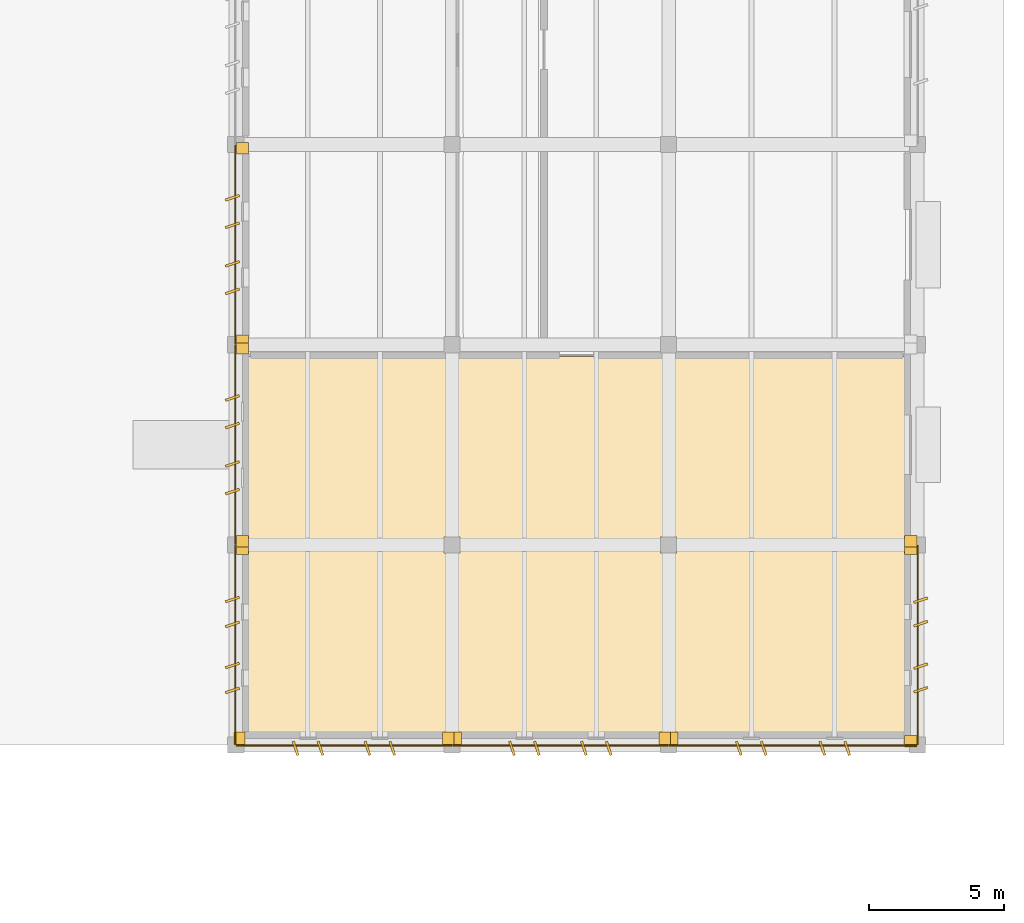
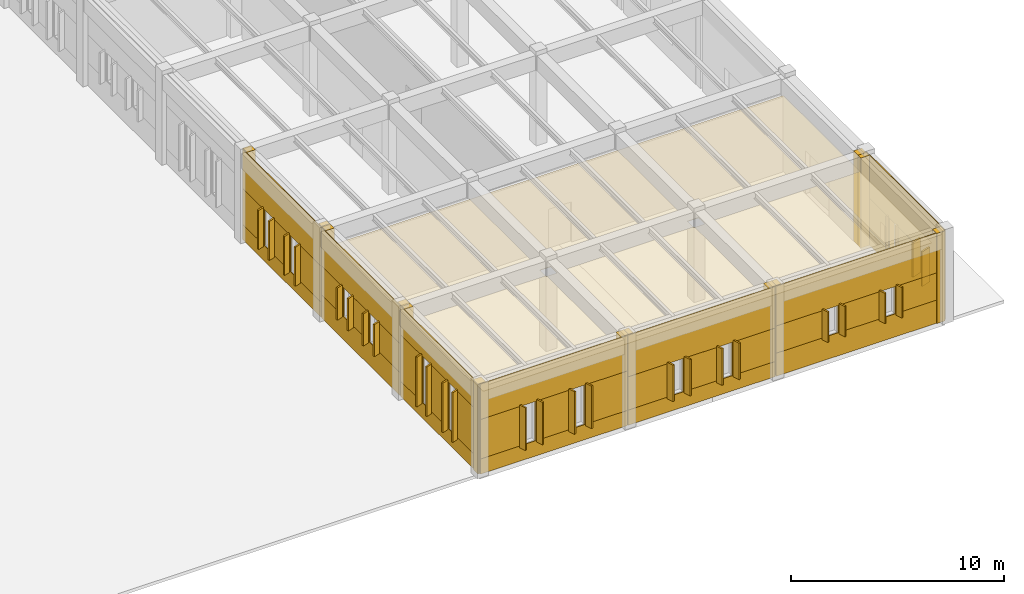
# One storey, part 52 of 56: 77 coverings.
"""IFC4 building model written with IfcOpenShell, lengths in metres."""

from ifc_helpers import new_model, si_unit, direction, frame, frame_2d, origin, origin_2d, place, context, subcontext, project, spatial, polyline, rectangle, outline, extrude, material, layer, layer_set, type_object, element, save


model = new_model("IFC4")

# Units and contexts
model_context = context("Model", 3, precision=1e-05, world=origin(), true_north=direction((0.0, 1.0)))
body_context = subcontext(model_context, "Body", "Model", "MODEL_VIEW")
ifc_project = project(units=[si_unit("LENGTHUNIT", "METRE"), si_unit("AREAUNIT", "SQUARE_METRE"), si_unit("VOLUMEUNIT", "CUBIC_METRE"), si_unit("PLANEANGLEUNIT", "RADIAN"), si_unit("MASSUNIT", "GRAM", prefix="KILO")], contexts=[model_context])

# Site, building, storey
site_placement = place(None, origin())
site = spatial("IfcSite", under=ifc_project, at=site_placement, CompositionType="ELEMENT")
building_placement = place(site_placement, origin())
building = spatial("IfcBuilding", under=site, at=building_placement, Name="Valkorina Park Police Headquarters", CompositionType="ELEMENT")
storey_placement = place(building_placement, origin())
storey = spatial("IfcBuildingStorey", under=building, at=storey_placement, Name="L01", CompositionType="ELEMENT", Elevation=0.0)

# Coverings
ifc_material_1 = material(Name="Acoustic mineral board")
ifc_layer_1 = layer(ifc_material_1, 0.02490234375)
ifc_layer_set_1 = layer_set([ifc_layer_1], Name="Acoustic mineral board")
covering_type_1 = type_object("IfcCoveringType", Name="COV-CEILING-ACOUST", PredefinedType="CEILING", material=ifc_layer_set_1)
covering_1_placement = place(storey_placement, frame((0.0, 0.0, 4.280029296875)))
element("IfcCovering", 1, at=covering_1_placement, inside=storey, type_object=covering_type_1, Name="Ballistics Water Recovery Tank Laboratory Acoustic Suspended Ceiling", PredefinedType="CEILING", context=body_context, shape_type="SweptSolid", body=[
    extrude(outline(polyline([(161.55859375, 7.904296875), (161.5595703125, 7.912109375), (161.56005859375, 7.919921875), (161.56005859375, 21.679931640625), (161.5595703125, 21.687744140625), (161.55859375, 21.695556640625), (161.556640625, 21.703125), (161.553955078125, 21.710693359375), (161.550537109375, 21.7177734375), (161.54638671875, 21.724365234375), (161.541748046875, 21.730712890625), (161.53662109375, 21.736572265625), (161.53076171875, 21.74169921875), (161.5244140625, 21.74658203125), (161.517578125, 21.75048828125), (161.510498046875, 21.75390625), (161.503173828125, 21.756591796875), (161.49560546875, 21.758544921875), (161.48779296875, 21.759521484375), (161.47998046875, 21.760009765625), (137.320068359375, 21.760009765625), (137.312255859375, 21.759521484375), (137.304443359375, 21.758544921875), (137.296875, 21.756591796875), (137.289306640625, 21.75390625), (137.2822265625, 21.75048828125), (137.275634765625, 21.74658203125), (137.269287109375, 21.74169921875), (137.263427734375, 21.736572265625), (137.25830078125, 21.730712890625), (137.25341796875, 21.724365234375), (137.24951171875, 21.7177734375), (137.24609375, 21.710693359375), (137.243408203125, 21.703125), (137.241455078125, 21.695556640625), (137.240478515625, 21.687744140625), (137.239990234375, 21.679931640625), (137.239990234375, 7.919921875), (137.240478515625, 7.912109375), (137.241455078125, 7.904296875), (137.243408203125, 7.896728515625), (137.24609375, 7.889404296875), (137.24951171875, 7.88232421875), (137.25341796875, 7.87548828125), (137.25830078125, 7.869140625), (137.263427734375, 7.86328125), (137.269287109375, 7.858154296875), (137.275634765625, 7.853515625), (137.2822265625, 7.849365234375), (137.289306640625, 7.84619140625), (137.296875, 7.843505859375), (137.304443359375, 7.841552734375), (137.312255859375, 7.84033203125), (137.320068359375, 7.840087890625), (161.47998046875, 7.840087890625), (161.48779296875, 7.84033203125), (161.49560546875, 7.841552734375), (161.503173828125, 7.843505859375), (161.510498046875, 7.84619140625), (161.517578125, 7.849365234375), (161.5244140625, 7.853515625), (161.53076171875, 7.858154296875), (161.53662109375, 7.86328125), (161.541748046875, 7.869140625), (161.54638671875, 7.87548828125), (161.550537109375, 7.88232421875), (161.553955078125, 7.889404296875), (161.556640625, 7.896728515625), (161.55859375, 7.904296875)]), holes=[polyline([(153.10009765625, 14.5), (152.5, 14.5), (152.5, 15.10009765625), (153.10009765625, 15.10009765625), (153.10009765625, 14.5)]), polyline([(145.10009765625, 14.5), (144.5, 14.5), (144.5, 15.10009765625), (145.10009765625, 15.10009765625), (145.10009765625, 14.5)])]), origin(), (0.0, 0.0, 1.0), 0.02490234375),
])
ifc_material_2 = material(Name="Precast concrete C40/50", Category="concrete")
ifc_layer_2 = layer(ifc_material_2, 0.044921875)
ifc_layer_set_2 = layer_set([ifc_layer_2], Name="Precast concrete C40/50")
covering_type_2 = type_object("IfcCoveringType", Name="COV-CLAD-DOLOMITE", PredefinedType="CLADDING", material=ifc_layer_set_2)
for number, where, z_axis, x_axis, name in (
    (2, (161.75, 14.93994140625, 0.0), (0.0, 0.0, 1.0), (0.0, 1.0, 0.0), "L01 Exterior Joint Closure Pilaster B 0552"),
    (3, (161.75, 14.659912109375, 0.0), (0.0, 0.0, 1.0), (0.0, 1.0, 0.0), "L01 Exterior Joint Closure Pilaster A 0553"),
    (4, (161.75, 7.5400390625, 0.0), (0.0, 0.0, 1.0), (0.0, 1.0, 0.0), "L01 Exterior Joint Closure Pilaster B 0554"),
):
    element("IfcCovering", number, at=place(storey_placement, frame(where, z_axis=z_axis, x_axis=x_axis)), inside=storey, type_object=covering_type_2, Name=name, PredefinedType="CLADDING", context=body_context, shape_type="SweptSolid", body=[
        extrude(rectangle(XDim=0.419921875, YDim=0.449951171875, at=origin_2d()), origin(), (0.0, 0.0, 1.0), 5.155029296875),
    ])
for number, where, z_axis, x_axis, name in (
    (5, (162.1201171875, 12.75537109375, 0.77978515625), (0.0, 0.0, 1.0), (0.948323655206, 0.317304656405, 0.0), "Slanted 18.5-deg Precast Window Slot Fin 0555"),
    (6, (162.1201171875, 11.885498046875, 0.77978515625), (0.0, 0.0, 1.0), (0.948323655206, 0.317304656405, 0.0), "Slanted 18.5-deg Precast Window Slot Fin 0556"),
    (7, (162.1201171875, 10.314697265625, 0.77978515625), (0.0, 0.0, 1.0), (0.948323655206, 0.317304656405, 0.0), "Slanted 18.5-deg Precast Window Slot Fin 0557"),
    (8, (162.1201171875, 9.444580078125, 0.77978515625), (0.0, 0.0, 1.0), (0.948323655206, 0.317304656405, 0.0), "Slanted 18.5-deg Precast Window Slot Fin 0558"),
):
    element("IfcCovering", number, at=place(storey_placement, frame(where, z_axis=z_axis, x_axis=x_axis)), inside=storey, type_object=covering_type_2, Name=name, PredefinedType="CLADDING", context=body_context, shape_type="SweptSolid", body=[
        extrude(rectangle(XDim=0.5400390625, YDim=0.090087890625, at=origin_2d()), origin(), (0.0, 0.0, 1.0), 1.989990234375),
    ])
covering_2_placement = place(storey_placement, frame((162.014892578125, 14.780029296875, 0.0), z_axis=(0.0, 0.0, 1.0), x_axis=(0.0, -1.0, 0.0)))
element("IfcCovering", 9, at=covering_2_placement, inside=storey, type_object=covering_type_2, Name="L01 Calm Concrete Base Sill Spandrel 0559", PredefinedType="CLADDING", context=body_context, shape_type="SweptSolid", body=[
    extrude(rectangle(XDim=7.360107421875, YDim=0.044921875, at=frame_2d((3.68017578125, 0.0))), origin(), (0.0, 0.0, 1.0), 0.8701171875),
])
covering_3_placement = place(storey_placement, frame((162.014892578125, 14.780029296875, 2.679931640625), z_axis=(0.0, 0.0, 1.0), x_axis=(0.0, -1.0, 0.0)))
element("IfcCovering", 10, at=covering_3_placement, inside=storey, type_object=covering_type_2, Name="L01 Calm Concrete Base Lintel Spandrel 0560", PredefinedType="CLADDING", context=body_context, shape_type="SweptSolid", body=[
    extrude(rectangle(XDim=7.360107421875, YDim=0.044921875, at=frame_2d((3.68017578125, 0.0))), origin(), (0.0, 0.0, 1.0), 2.47509765625),
])
covering_4_placement = place(storey_placement, frame((162.014892578125, 14.780029296875, 0.8701171875), z_axis=(0.0, 0.0, 1.0), x_axis=(0.0, -1.0, 0.0)))
element("IfcCovering", 11, at=covering_4_placement, inside=storey, type_object=covering_type_2, Name="L01 Calm Concrete Base Slot Pier 0561", PredefinedType="CLADDING", context=body_context, shape_type="SweptSolid", body=[
    extrude(rectangle(XDim=2.134521484375, YDim=0.044921875, at=frame_2d((1.0673828125, 0.0))), origin(), (0.0, 0.0, 1.0), 1.809814453125),
])
covering_5_placement = place(storey_placement, frame((162.014892578125, 11.995361328125, 0.8701171875), z_axis=(0.0, 0.0, 1.0), x_axis=(0.0, -1.0, 0.0)))
element("IfcCovering", 12, at=covering_5_placement, inside=storey, type_object=covering_type_2, Name="L01 Calm Concrete Base Slot Pier 0562", PredefinedType="CLADDING", context=body_context, shape_type="SweptSolid", body=[
    extrude(rectangle(XDim=1.790771484375, YDim=0.044921875, at=frame_2d((0.8955078125, 0.0))), origin(), (0.0, 0.0, 1.0), 1.809814453125),
])
covering_6_placement = place(storey_placement, frame((162.014892578125, 9.5546875, 0.8701171875), z_axis=(0.0, 0.0, 1.0), x_axis=(0.0, -1.0, 0.0)))
element("IfcCovering", 13, at=covering_6_placement, inside=storey, type_object=covering_type_2, Name="L01 Calm Concrete Base Slot Pier 0563", PredefinedType="CLADDING", context=body_context, shape_type="SweptSolid", body=[
    extrude(rectangle(XDim=2.134765625, YDim=0.044921875, at=frame_2d((1.0673828125, 0.0))), origin(), (0.0, 0.0, 1.0), 1.809814453125),
])
covering_7_placement = place(storey_placement, frame((152.93994140625, 7.64990234375, 0.0), z_axis=(0.0, 0.0, 1.0), x_axis=(1.0, 0.0, 0.0)))
element("IfcCovering", 14, at=covering_7_placement, inside=storey, type_object=covering_type_2, Name="L01 Exterior Joint Closure Pilaster B 0564", PredefinedType="CLADDING", context=body_context, shape_type="SweptSolid", body=[
    extrude(rectangle(XDim=0.419921875, YDim=0.449951171875, at=origin_2d()), origin(), (0.0, 0.0, 1.0), 5.155029296875),
])
for number, where, z_axis, x_axis, name in (
    (15, (159.404296875, 7.280029296875, 1.22998046875), (0.0, 0.0, 1.0), (0.317304656405, -0.948323655206, 0.0), "Slanted 18.5-deg Precast Window Slot Fin 0565"),
    (16, (158.484375, 7.280029296875, 1.22998046875), (0.0, 0.0, 1.0), (0.317304656405, -0.948323655206, 0.0), "Slanted 18.5-deg Precast Window Slot Fin 0566"),
    (17, (156.315673828125, 7.280029296875, 1.22998046875), (0.0, 0.0, 1.0), (0.317304656405, -0.948323655206, 0.0), "Slanted 18.5-deg Precast Window Slot Fin 0567"),
    (18, (155.3955078125, 7.280029296875, 1.22998046875), (0.0, 0.0, 1.0), (0.317304656405, -0.948323655206, 0.0), "Slanted 18.5-deg Precast Window Slot Fin 0568"),
):
    element("IfcCovering", number, at=place(storey_placement, frame(where, z_axis=z_axis, x_axis=x_axis)), inside=storey, type_object=covering_type_2, Name=name, PredefinedType="CLADDING", context=body_context, shape_type="SweptSolid", body=[
        extrude(rectangle(XDim=0.5400390625, YDim=0.090087890625, at=origin_2d()), origin(), (0.0, 0.0, 1.0), 1.739990234375),
    ])
covering_8_placement = place(storey_placement, frame((161.97998046875, 7.385009765625, 0.0), z_axis=(0.0, 0.0, 1.0), x_axis=(-1.0, 0.0, 0.0)))
element("IfcCovering", 19, at=covering_8_placement, inside=storey, type_object=covering_type_2, Name="L01 Calm Concrete Base Sill Spandrel 0569", PredefinedType="CLADDING", context=body_context, shape_type="SweptSolid", body=[
    extrude(rectangle(XDim=9.159912109375, YDim=0.044921875, at=frame_2d((4.580078125, 0.0))), origin(), (0.0, 0.0, 1.0), 1.320068359375),
])
covering_9_placement = place(storey_placement, frame((161.97998046875, 7.385009765625, 2.8798828125), z_axis=(0.0, 0.0, 1.0), x_axis=(-1.0, 0.0, 0.0)))
element("IfcCovering", 20, at=covering_9_placement, inside=storey, type_object=covering_type_2, Name="L01 Calm Concrete Base Lintel Spandrel 0570", PredefinedType="CLADDING", context=body_context, shape_type="SweptSolid", body=[
    extrude(rectangle(XDim=9.159912109375, YDim=0.044921875, at=frame_2d((4.580078125, 0.0))), origin(), (0.0, 0.0, 1.0), 2.275146484375),
])
covering_10_placement = place(storey_placement, frame((161.97998046875, 7.385009765625, 1.320068359375), z_axis=(0.0, 0.0, 1.0), x_axis=(-1.0, 0.0, 0.0)))
element("IfcCovering", 21, at=covering_10_placement, inside=storey, type_object=covering_type_2, Name="L01 Calm Concrete Base Slot Pier 0571", PredefinedType="CLADDING", context=body_context, shape_type="SweptSolid", body=[
    extrude(rectangle(XDim=2.685546875, YDim=0.044921875, at=frame_2d((1.3427734375, 0.0))), origin(), (0.0, 0.0, 1.0), 1.559814453125),
])
covering_11_placement = place(storey_placement, frame((158.594482421875, 7.385009765625, 1.320068359375), z_axis=(0.0, 0.0, 1.0), x_axis=(-1.0, 0.0, 0.0)))
element("IfcCovering", 22, at=covering_11_placement, inside=storey, type_object=covering_type_2, Name="L01 Calm Concrete Base Slot Pier 0572", PredefinedType="CLADDING", context=body_context, shape_type="SweptSolid", body=[
    extrude(rectangle(XDim=2.388916015625, YDim=0.044921875, at=frame_2d((1.1943359375, 0.0))), origin(), (0.0, 0.0, 1.0), 1.559814453125),
])
covering_12_placement = place(storey_placement, frame((155.505615234375, 7.385009765625, 1.320068359375), z_axis=(0.0, 0.0, 1.0), x_axis=(-1.0, 0.0, 0.0)))
element("IfcCovering", 23, at=covering_12_placement, inside=storey, type_object=covering_type_2, Name="L01 Calm Concrete Base Slot Pier 0573", PredefinedType="CLADDING", context=body_context, shape_type="SweptSolid", body=[
    extrude(rectangle(XDim=2.685546875, YDim=0.044921875, at=frame_2d((1.3427734375, 0.0))), origin(), (0.0, 0.0, 1.0), 1.559814453125),
])
for number, where, z_axis, x_axis, name in (
    (24, (152.659912109375, 7.64990234375, 0.0), (0.0, 0.0, 1.0), (1.0, 0.0, 0.0), "L01 Exterior Joint Closure Pilaster A 0574"),
    (25, (144.93994140625, 7.64990234375, 0.0), (0.0, 0.0, 1.0), (1.0, 0.0, 0.0), "L01 Exterior Joint Closure Pilaster B 0575"),
):
    element("IfcCovering", number, at=place(storey_placement, frame(where, z_axis=z_axis, x_axis=x_axis)), inside=storey, type_object=covering_type_2, Name=name, PredefinedType="CLADDING", context=body_context, shape_type="SweptSolid", body=[
        extrude(rectangle(XDim=0.419921875, YDim=0.449951171875, at=origin_2d()), origin(), (0.0, 0.0, 1.0), 5.155029296875),
    ])
for number, where, z_axis, x_axis, name in (
    (26, (150.58837890625, 7.280029296875, 0.77978515625), (0.0, 0.0, 1.0), (0.317304656405, -0.948323655206, 0.0), "Slanted 18.5-deg Precast Window Slot Fin 0576"),
    (27, (149.66845703125, 7.280029296875, 0.77978515625), (0.0, 0.0, 1.0), (0.317304656405, -0.948323655206, 0.0), "Slanted 18.5-deg Precast Window Slot Fin 0577"),
    (28, (147.931640625, 7.280029296875, 0.77978515625), (0.0, 0.0, 1.0), (0.317304656405, -0.948323655206, 0.0), "Slanted 18.5-deg Precast Window Slot Fin 0578"),
    (29, (147.01171875, 7.280029296875, 0.77978515625), (0.0, 0.0, 1.0), (0.317304656405, -0.948323655206, 0.0), "Slanted 18.5-deg Precast Window Slot Fin 0579"),
):
    element("IfcCovering", number, at=place(storey_placement, frame(where, z_axis=z_axis, x_axis=x_axis)), inside=storey, type_object=covering_type_2, Name=name, PredefinedType="CLADDING", context=body_context, shape_type="SweptSolid", body=[
        extrude(rectangle(XDim=0.5400390625, YDim=0.090087890625, at=origin_2d()), origin(), (0.0, 0.0, 1.0), 2.090087890625),
    ])
covering_13_placement = place(storey_placement, frame((152.780029296875, 7.385009765625, 0.0), z_axis=(0.0, 0.0, 1.0), x_axis=(-1.0, 0.0, 0.0)))
element("IfcCovering", 30, at=covering_13_placement, inside=storey, type_object=covering_type_2, Name="L01 Calm Concrete Base Sill Spandrel 0580", PredefinedType="CLADDING", context=body_context, shape_type="SweptSolid", body=[
    extrude(rectangle(XDim=7.9599609375, YDim=0.044921875, at=frame_2d((3.97998046875, 0.0))), origin(), (0.0, 0.0, 1.0), 0.8701171875),
])
covering_14_placement = place(storey_placement, frame((152.780029296875, 7.385009765625, 2.780029296875), z_axis=(0.0, 0.0, 1.0), x_axis=(-1.0, 0.0, 0.0)))
element("IfcCovering", 31, at=covering_14_placement, inside=storey, type_object=covering_type_2, Name="L01 Calm Concrete Base Lintel Spandrel 0581", PredefinedType="CLADDING", context=body_context, shape_type="SweptSolid", body=[
    extrude(rectangle(XDim=7.9599609375, YDim=0.044921875, at=frame_2d((3.97998046875, 0.0))), origin(), (0.0, 0.0, 1.0), 2.375),
])
covering_15_placement = place(storey_placement, frame((152.780029296875, 7.385009765625, 0.8701171875), z_axis=(0.0, 0.0, 1.0), x_axis=(-1.0, 0.0, 0.0)))
element("IfcCovering", 32, at=covering_15_placement, inside=storey, type_object=covering_type_2, Name="L01 Calm Concrete Base Slot Pier 0582", PredefinedType="CLADDING", context=body_context, shape_type="SweptSolid", body=[
    extrude(rectangle(XDim=2.301513671875, YDim=0.044921875, at=frame_2d((1.15087890625, 0.0))), origin(), (0.0, 0.0, 1.0), 1.909912109375),
])
covering_16_placement = place(storey_placement, frame((149.7783203125, 7.385009765625, 0.8701171875), z_axis=(0.0, 0.0, 1.0), x_axis=(-1.0, 0.0, 0.0)))
element("IfcCovering", 33, at=covering_16_placement, inside=storey, type_object=covering_type_2, Name="L01 Calm Concrete Base Slot Pier 0583", PredefinedType="CLADDING", context=body_context, shape_type="SweptSolid", body=[
    extrude(rectangle(XDim=1.956787109375, YDim=0.044921875, at=frame_2d((0.978515625, 0.0))), origin(), (0.0, 0.0, 1.0), 1.909912109375),
])
covering_17_placement = place(storey_placement, frame((147.12158203125, 7.385009765625, 0.8701171875), z_axis=(0.0, 0.0, 1.0), x_axis=(-1.0, 0.0, 0.0)))
element("IfcCovering", 34, at=covering_17_placement, inside=storey, type_object=covering_type_2, Name="L01 Calm Concrete Base Slot Pier 0584", PredefinedType="CLADDING", context=body_context, shape_type="SweptSolid", body=[
    extrude(rectangle(XDim=2.301513671875, YDim=0.044921875, at=frame_2d((1.15087890625, 0.0))), origin(), (0.0, 0.0, 1.0), 1.909912109375),
])
for number, where, z_axis, x_axis, name in (
    (35, (144.659912109375, 7.64990234375, 0.0), (0.0, 0.0, 1.0), (1.0, 0.0, 0.0), "L01 Exterior Joint Closure Pilaster A 0585"),
    (36, (136.93994140625, 7.64990234375, 0.0), (0.0, 0.0, 1.0), (1.0, 0.0, 0.0), "L01 Exterior Joint Closure Pilaster B 0586"),
):
    element("IfcCovering", number, at=place(storey_placement, frame(where, z_axis=z_axis, x_axis=x_axis)), inside=storey, type_object=covering_type_2, Name=name, PredefinedType="CLADDING", context=body_context, shape_type="SweptSolid", body=[
        extrude(rectangle(XDim=0.419921875, YDim=0.449951171875, at=origin_2d()), origin(), (0.0, 0.0, 1.0), 5.155029296875),
    ])
for number, where, z_axis, x_axis, name in (
    (37, (142.58837890625, 7.280029296875, 0.780029296875), (0.0, 0.0, 1.0), (0.317304656405, -0.948323655206, 0.0), "Slanted 18.5-deg Precast Window Slot Fin 0587"),
    (38, (141.66845703125, 7.280029296875, 0.780029296875), (0.0, 0.0, 1.0), (0.317304656405, -0.948323655206, 0.0), "Slanted 18.5-deg Precast Window Slot Fin 0588"),
    (39, (139.931640625, 7.280029296875, 0.780029296875), (0.0, 0.0, 1.0), (0.317304656405, -0.948323655206, 0.0), "Slanted 18.5-deg Precast Window Slot Fin 0589"),
    (40, (139.01171875, 7.280029296875, 0.780029296875), (0.0, 0.0, 1.0), (0.317304656405, -0.948323655206, 0.0), "Slanted 18.5-deg Precast Window Slot Fin 0590"),
):
    element("IfcCovering", number, at=place(storey_placement, frame(where, z_axis=z_axis, x_axis=x_axis)), inside=storey, type_object=covering_type_2, Name=name, PredefinedType="CLADDING", context=body_context, shape_type="SweptSolid", body=[
        extrude(rectangle(XDim=0.5400390625, YDim=0.090087890625, at=origin_2d()), origin(), (0.0, 0.0, 1.0), 2.43994140625),
    ])
covering_18_placement = place(storey_placement, frame((144.780029296875, 7.385009765625, 0.0), z_axis=(0.0, 0.0, 1.0), x_axis=(-1.0, 0.0, 0.0)))
element("IfcCovering", 41, at=covering_18_placement, inside=storey, type_object=covering_type_2, Name="L01 Calm Concrete Base Sill Spandrel 0591", PredefinedType="CLADDING", context=body_context, shape_type="SweptSolid", body=[
    extrude(rectangle(XDim=7.9599609375, YDim=0.044921875, at=frame_2d((3.97998046875, 0.0))), origin(), (0.0, 0.0, 1.0), 0.8701171875),
])
covering_19_placement = place(storey_placement, frame((144.780029296875, 7.385009765625, 3.1298828125), z_axis=(0.0, 0.0, 1.0), x_axis=(-1.0, 0.0, 0.0)))
element("IfcCovering", 42, at=covering_19_placement, inside=storey, type_object=covering_type_2, Name="L01 Calm Concrete Base Lintel Spandrel 0592", PredefinedType="CLADDING", context=body_context, shape_type="SweptSolid", body=[
    extrude(rectangle(XDim=7.9599609375, YDim=0.044921875, at=frame_2d((3.97998046875, 0.0))), origin(), (0.0, 0.0, 1.0), 2.025146484375),
])
covering_20_placement = place(storey_placement, frame((144.780029296875, 7.385009765625, 0.8701171875), z_axis=(0.0, 0.0, 1.0), x_axis=(-1.0, 0.0, 0.0)))
element("IfcCovering", 43, at=covering_20_placement, inside=storey, type_object=covering_type_2, Name="L01 Calm Concrete Base Slot Pier 0593", PredefinedType="CLADDING", context=body_context, shape_type="SweptSolid", body=[
    extrude(rectangle(XDim=2.301513671875, YDim=0.044921875, at=frame_2d((1.15087890625, 0.0))), origin(), (0.0, 0.0, 1.0), 2.259765625),
])
covering_21_placement = place(storey_placement, frame((141.7783203125, 7.385009765625, 0.8701171875), z_axis=(0.0, 0.0, 1.0), x_axis=(-1.0, 0.0, 0.0)))
element("IfcCovering", 44, at=covering_21_placement, inside=storey, type_object=covering_type_2, Name="L01 Calm Concrete Base Slot Pier 0594", PredefinedType="CLADDING", context=body_context, shape_type="SweptSolid", body=[
    extrude(rectangle(XDim=1.956787109375, YDim=0.044921875, at=frame_2d((0.978515625, 0.0))), origin(), (0.0, 0.0, 1.0), 2.259765625),
])
covering_22_placement = place(storey_placement, frame((139.12158203125, 7.385009765625, 0.8701171875), z_axis=(0.0, 0.0, 1.0), x_axis=(-1.0, 0.0, 0.0)))
element("IfcCovering", 45, at=covering_22_placement, inside=storey, type_object=covering_type_2, Name="L01 Calm Concrete Base Slot Pier 0595", PredefinedType="CLADDING", context=body_context, shape_type="SweptSolid", body=[
    extrude(rectangle(XDim=2.301513671875, YDim=0.044921875, at=frame_2d((1.15087890625, 0.0))), origin(), (0.0, 0.0, 1.0), 2.259765625),
])
covering_23_placement = place(storey_placement, frame((137.050048828125, 14.659912109375, 0.0), z_axis=(0.0, 0.0, 1.0), x_axis=(0.0, 1.0, 0.0)))
element("IfcCovering", 46, at=covering_23_placement, inside=storey, type_object=covering_type_2, Name="L01 Exterior Joint Closure Pilaster B 0596", PredefinedType="CLADDING", context=body_context, shape_type="SweptSolid", body=[
    extrude(rectangle(XDim=0.419921875, YDim=0.449951171875, at=origin_2d()), origin(), (0.0, 0.0, 1.0), 5.155029296875),
])
for number, where, z_axis, x_axis, name in (
    (47, (136.679931640625, 9.419677734375, 0.77978515625), (0.0, 0.0, 1.0), (-0.948323655206, -0.317304656405, 0.0), "Slanted 18.5-deg Precast Window Slot Fin 0597"),
    (48, (136.679931640625, 10.339599609375, 0.77978515625), (0.0, 0.0, 1.0), (-0.948323655206, -0.317304656405, 0.0), "Slanted 18.5-deg Precast Window Slot Fin 0598"),
    (49, (136.679931640625, 11.8603515625, 0.77978515625), (0.0, 0.0, 1.0), (-0.948323655206, -0.317304656405, 0.0), "Slanted 18.5-deg Precast Window Slot Fin 0599"),
    (50, (136.679931640625, 12.780517578125, 0.77978515625), (0.0, 0.0, 1.0), (-0.948323655206, -0.317304656405, 0.0), "Slanted 18.5-deg Precast Window Slot Fin 0600"),
):
    element("IfcCovering", number, at=place(storey_placement, frame(where, z_axis=z_axis, x_axis=x_axis)), inside=storey, type_object=covering_type_2, Name=name, PredefinedType="CLADDING", context=body_context, shape_type="SweptSolid", body=[
        extrude(rectangle(XDim=0.5400390625, YDim=0.090087890625, at=origin_2d()), origin(), (0.0, 0.0, 1.0), 2.840087890625),
    ])
covering_24_placement = place(storey_placement, frame((136.784912109375, 7.419921875, 0.0), z_axis=(0.0, 0.0, 1.0), x_axis=(0.0, 1.0, 0.0)))
element("IfcCovering", 51, at=covering_24_placement, inside=storey, type_object=covering_type_2, Name="L01 Calm Concrete Base Sill Spandrel 0601", PredefinedType="CLADDING", context=body_context, shape_type="SweptSolid", body=[
    extrude(rectangle(XDim=7.360107421875, YDim=0.044921875, at=frame_2d((3.68017578125, 0.0))), origin(), (0.0, 0.0, 1.0), 0.8701171875),
])
covering_25_placement = place(storey_placement, frame((136.784912109375, 7.419921875, 3.530029296875), z_axis=(0.0, 0.0, 1.0), x_axis=(0.0, 1.0, 0.0)))
element("IfcCovering", 52, at=covering_25_placement, inside=storey, type_object=covering_type_2, Name="L01 Calm Concrete Base Lintel Spandrel 0602", PredefinedType="CLADDING", context=body_context, shape_type="SweptSolid", body=[
    extrude(rectangle(XDim=7.360107421875, YDim=0.044921875, at=frame_2d((3.68017578125, 0.0))), origin(), (0.0, 0.0, 1.0), 1.625),
])
covering_26_placement = place(storey_placement, frame((136.784912109375, 7.419921875, 0.8701171875), z_axis=(0.0, 0.0, 1.0), x_axis=(0.0, 1.0, 0.0)))
element("IfcCovering", 53, at=covering_26_placement, inside=storey, type_object=covering_type_2, Name="L01 Calm Concrete Base Slot Pier 0603", PredefinedType="CLADDING", context=body_context, shape_type="SweptSolid", body=[
    extrude(rectangle(XDim=2.109619140625, YDim=0.044921875, at=frame_2d((1.0546875, 0.0))), origin(), (0.0, 0.0, 1.0), 2.659912109375),
])
covering_27_placement = place(storey_placement, frame((136.784912109375, 10.2294921875, 0.8701171875), z_axis=(0.0, 0.0, 1.0), x_axis=(0.0, 1.0, 0.0)))
element("IfcCovering", 54, at=covering_27_placement, inside=storey, type_object=covering_type_2, Name="L01 Calm Concrete Base Slot Pier 0604", PredefinedType="CLADDING", context=body_context, shape_type="SweptSolid", body=[
    extrude(rectangle(XDim=1.740966796875, YDim=0.044921875, at=frame_2d((0.87060546875, 0.0))), origin(), (0.0, 0.0, 1.0), 2.659912109375),
])
covering_28_placement = place(storey_placement, frame((136.784912109375, 12.67041015625, 0.8701171875), z_axis=(0.0, 0.0, 1.0), x_axis=(0.0, 1.0, 0.0)))
element("IfcCovering", 55, at=covering_28_placement, inside=storey, type_object=covering_type_2, Name="L01 Calm Concrete Base Slot Pier 0605", PredefinedType="CLADDING", context=body_context, shape_type="SweptSolid", body=[
    extrude(rectangle(XDim=2.109619140625, YDim=0.044921875, at=frame_2d((1.0546875, 0.0))), origin(), (0.0, 0.0, 1.0), 2.659912109375),
])
for number, where, z_axis, x_axis, name in (
    (56, (137.050048828125, 14.93994140625, 0.0), (0.0, 0.0, 1.0), (0.0, 1.0, 0.0), "L01 Exterior Joint Closure Pilaster A 0606"),
    (57, (137.050048828125, 22.06005859375, 0.0), (0.0, 0.0, 1.0), (0.0, 1.0, 0.0), "L01 Exterior Joint Closure Pilaster B 0607"),
):
    element("IfcCovering", number, at=place(storey_placement, frame(where, z_axis=z_axis, x_axis=x_axis)), inside=storey, type_object=covering_type_2, Name=name, PredefinedType="CLADDING", context=body_context, shape_type="SweptSolid", body=[
        extrude(rectangle(XDim=0.419921875, YDim=0.449951171875, at=origin_2d()), origin(), (0.0, 0.0, 1.0), 5.155029296875),
    ])
for number, where, z_axis, x_axis, name in (
    (58, (136.679931640625, 16.76953125, 1.22998046875), (0.0, 0.0, 1.0), (-0.948323655206, -0.317304656405, 0.0), "Slanted 18.5-deg Precast Window Slot Fin 0608"),
    (59, (136.679931640625, 17.78955078125, 1.22998046875), (0.0, 0.0, 1.0), (-0.948323655206, -0.317304656405, 0.0), "Slanted 18.5-deg Precast Window Slot Fin 0609"),
    (60, (136.679931640625, 19.21044921875, 1.22998046875), (0.0, 0.0, 1.0), (-0.948323655206, -0.317304656405, 0.0), "Slanted 18.5-deg Precast Window Slot Fin 0610"),
    (61, (136.679931640625, 20.23046875, 1.22998046875), (0.0, 0.0, 1.0), (-0.948323655206, -0.317304656405, 0.0), "Slanted 18.5-deg Precast Window Slot Fin 0611"),
):
    element("IfcCovering", number, at=place(storey_placement, frame(where, z_axis=z_axis, x_axis=x_axis)), inside=storey, type_object=covering_type_2, Name=name, PredefinedType="CLADDING", context=body_context, shape_type="SweptSolid", body=[
        extrude(rectangle(XDim=0.5400390625, YDim=0.090087890625, at=origin_2d()), origin(), (0.0, 0.0, 1.0), 1.840087890625),
    ])
covering_29_placement = place(storey_placement, frame((136.784912109375, 14.820068359375, 0.0), z_axis=(0.0, 0.0, 1.0), x_axis=(0.0, 1.0, 0.0)))
element("IfcCovering", 62, at=covering_29_placement, inside=storey, type_object=covering_type_2, Name="L01 Calm Concrete Base Sill Spandrel 0612", PredefinedType="CLADDING", context=body_context, shape_type="SweptSolid", body=[
    extrude(rectangle(XDim=7.35986328125, YDim=0.044921875, at=frame_2d((3.679931640625, 0.0))), origin(), (0.0, 0.0, 1.0), 1.320068359375),
])
covering_30_placement = place(storey_placement, frame((136.784912109375, 14.820068359375, 2.97998046875), z_axis=(0.0, 0.0, 1.0), x_axis=(0.0, 1.0, 0.0)))
element("IfcCovering", 63, at=covering_30_placement, inside=storey, type_object=covering_type_2, Name="L01 Calm Concrete Base Lintel Spandrel 0613", PredefinedType="CLADDING", context=body_context, shape_type="SweptSolid", body=[
    extrude(rectangle(XDim=7.35986328125, YDim=0.044921875, at=frame_2d((3.679931640625, 0.0))), origin(), (0.0, 0.0, 1.0), 2.175048828125),
])
covering_31_placement = place(storey_placement, frame((136.784912109375, 14.820068359375, 1.320068359375), z_axis=(0.0, 0.0, 1.0), x_axis=(0.0, 1.0, 0.0)))
element("IfcCovering", 64, at=covering_31_placement, inside=storey, type_object=covering_type_2, Name="L01 Calm Concrete Base Slot Pier 0614", PredefinedType="CLADDING", context=body_context, shape_type="SweptSolid", body=[
    extrude(rectangle(XDim=2.0595703125, YDim=0.044921875, at=frame_2d((1.02978515625, 0.0))), origin(), (0.0, 0.0, 1.0), 1.659912109375),
])
covering_32_placement = place(storey_placement, frame((136.784912109375, 17.6796875, 1.320068359375), z_axis=(0.0, 0.0, 1.0), x_axis=(0.0, 1.0, 0.0)))
element("IfcCovering", 65, at=covering_32_placement, inside=storey, type_object=covering_type_2, Name="L01 Calm Concrete Base Slot Pier 0615", PredefinedType="CLADDING", context=body_context, shape_type="SweptSolid", body=[
    extrude(rectangle(XDim=1.640625, YDim=0.044921875, at=frame_2d((0.8203125, 0.0))), origin(), (0.0, 0.0, 1.0), 1.659912109375),
])
covering_33_placement = place(storey_placement, frame((136.784912109375, 20.120361328125, 1.320068359375), z_axis=(0.0, 0.0, 1.0), x_axis=(0.0, 1.0, 0.0)))
element("IfcCovering", 66, at=covering_33_placement, inside=storey, type_object=covering_type_2, Name="L01 Calm Concrete Base Slot Pier 0616", PredefinedType="CLADDING", context=body_context, shape_type="SweptSolid", body=[
    extrude(rectangle(XDim=2.0595703125, YDim=0.044921875, at=frame_2d((1.02978515625, 0.0))), origin(), (0.0, 0.0, 1.0), 1.659912109375),
])
for number, where, z_axis, x_axis, name in (
    (67, (137.050048828125, 22.340087890625, 0.0), (0.0, 0.0, 1.0), (0.0, 1.0, 0.0), "L01 Exterior Joint Closure Pilaster A 0617"),
    (68, (137.050048828125, 29.4599609375, 0.0), (0.0, 0.0, 1.0), (0.0, 1.0, 0.0), "L01 Exterior Joint Closure Pilaster B 0618"),
):
    element("IfcCovering", number, at=place(storey_placement, frame(where, z_axis=z_axis, x_axis=x_axis)), inside=storey, type_object=covering_type_2, Name=name, PredefinedType="CLADDING", context=body_context, shape_type="SweptSolid", body=[
        extrude(rectangle(XDim=0.419921875, YDim=0.449951171875, at=origin_2d()), origin(), (0.0, 0.0, 1.0), 5.155029296875),
    ])
for number, where, z_axis, x_axis, name in (
    (69, (136.679931640625, 24.169677734375, 0.77978515625), (0.0, 0.0, 1.0), (-0.948323655206, -0.317304656405, 0.0), "Slanted 18.5-deg Precast Window Slot Fin 0619"),
    (70, (136.679931640625, 25.189697265625, 0.77978515625), (0.0, 0.0, 1.0), (-0.948323655206, -0.317304656405, 0.0), "Slanted 18.5-deg Precast Window Slot Fin 0620"),
    (71, (136.679931640625, 26.6103515625, 0.77978515625), (0.0, 0.0, 1.0), (-0.948323655206, -0.317304656405, 0.0), "Slanted 18.5-deg Precast Window Slot Fin 0621"),
    (72, (136.679931640625, 27.63037109375, 0.77978515625), (0.0, 0.0, 1.0), (-0.948323655206, -0.317304656405, 0.0), "Slanted 18.5-deg Precast Window Slot Fin 0622"),
):
    element("IfcCovering", number, at=place(storey_placement, frame(where, z_axis=z_axis, x_axis=x_axis)), inside=storey, type_object=covering_type_2, Name=name, PredefinedType="CLADDING", context=body_context, shape_type="SweptSolid", body=[
        extrude(rectangle(XDim=0.5400390625, YDim=0.090087890625, at=origin_2d()), origin(), (0.0, 0.0, 1.0), 2.239990234375),
    ])
covering_34_placement = place(storey_placement, frame((136.784912109375, 22.219970703125, 0.0), z_axis=(0.0, 0.0, 1.0), x_axis=(0.0, 1.0, 0.0)))
element("IfcCovering", 73, at=covering_34_placement, inside=storey, type_object=covering_type_2, Name="L01 Calm Concrete Base Sill Spandrel 0623", PredefinedType="CLADDING", context=body_context, shape_type="SweptSolid", body=[
    extrude(rectangle(XDim=7.360107421875, YDim=0.044921875, at=frame_2d((3.68017578125, 0.0))), origin(), (0.0, 0.0, 1.0), 0.8701171875),
])
covering_35_placement = place(storey_placement, frame((136.784912109375, 22.219970703125, 2.929931640625), z_axis=(0.0, 0.0, 1.0), x_axis=(0.0, 1.0, 0.0)))
element("IfcCovering", 74, at=covering_35_placement, inside=storey, type_object=covering_type_2, Name="L01 Calm Concrete Base Lintel Spandrel 0624", PredefinedType="CLADDING", context=body_context, shape_type="SweptSolid", body=[
    extrude(rectangle(XDim=7.360107421875, YDim=0.044921875, at=frame_2d((3.68017578125, 0.0))), origin(), (0.0, 0.0, 1.0), 2.22509765625),
])
covering_36_placement = place(storey_placement, frame((136.784912109375, 22.219970703125, 0.8701171875), z_axis=(0.0, 0.0, 1.0), x_axis=(0.0, 1.0, 0.0)))
element("IfcCovering", 75, at=covering_36_placement, inside=storey, type_object=covering_type_2, Name="L01 Calm Concrete Base Slot Pier 0625", PredefinedType="CLADDING", context=body_context, shape_type="SweptSolid", body=[
    extrude(rectangle(XDim=2.0595703125, YDim=0.044921875, at=frame_2d((1.02978515625, 0.0))), origin(), (0.0, 0.0, 1.0), 2.059814453125),
])
covering_37_placement = place(storey_placement, frame((136.784912109375, 25.07958984375, 0.8701171875), z_axis=(0.0, 0.0, 1.0), x_axis=(0.0, 1.0, 0.0)))
element("IfcCovering", 76, at=covering_37_placement, inside=storey, type_object=covering_type_2, Name="L01 Calm Concrete Base Slot Pier 0626", PredefinedType="CLADDING", context=body_context, shape_type="SweptSolid", body=[
    extrude(rectangle(XDim=1.640869140625, YDim=0.044921875, at=frame_2d((0.8203125, 0.0))), origin(), (0.0, 0.0, 1.0), 2.059814453125),
])
covering_38_placement = place(storey_placement, frame((136.784912109375, 27.5205078125, 0.8701171875), z_axis=(0.0, 0.0, 1.0), x_axis=(0.0, 1.0, 0.0)))
element("IfcCovering", 77, at=covering_38_placement, inside=storey, type_object=covering_type_2, Name="L01 Calm Concrete Base Slot Pier 0627", PredefinedType="CLADDING", context=body_context, shape_type="SweptSolid", body=[
    extrude(rectangle(XDim=2.0595703125, YDim=0.044921875, at=frame_2d((1.02978515625, 0.0))), origin(), (0.0, 0.0, 1.0), 2.059814453125),
])

save(model, "model.ifc")
